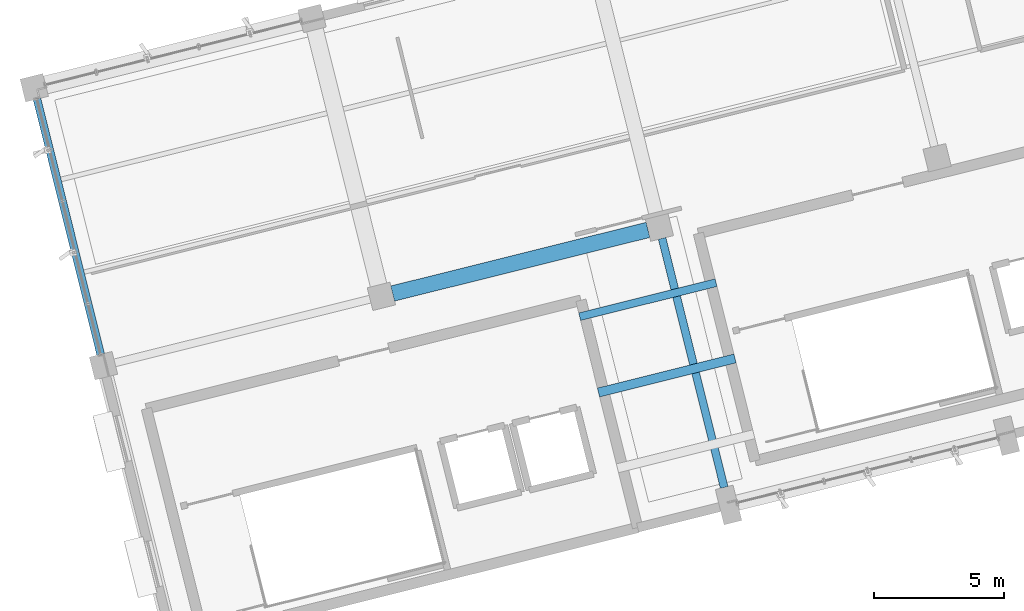
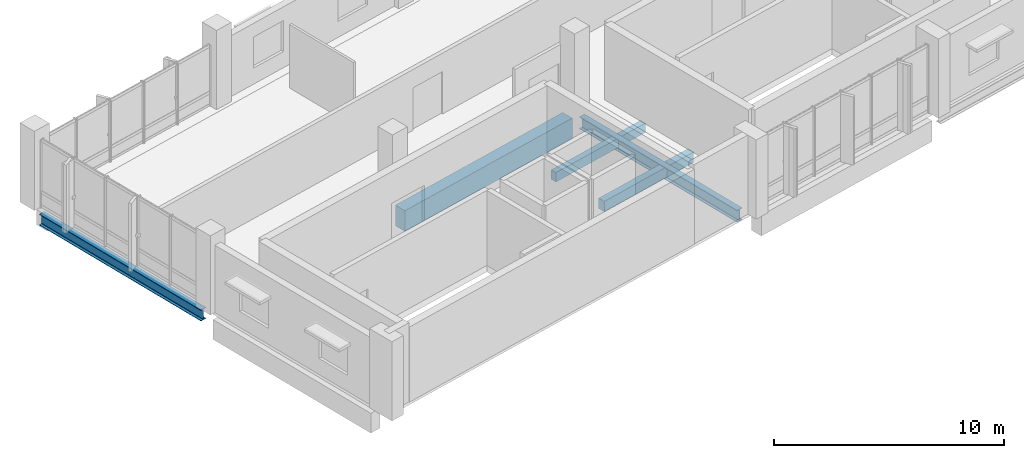
# One storey, part 4 of 22: 5 beams.
"""IFC4 building model written with IfcOpenShell, lengths in metres."""

from ifc_helpers import new_model, si_unit, direction, frame, origin, origin_2d, place, context, subcontext, project, spatial, rectangle, i_section, extrude, material, material_profile, profile_set, type_object, element, save


model = new_model("IFC4")

# Units and contexts
model_context = context("Model", 3, precision=1e-05, world=origin(), true_north=direction((0.0, 1.0)))
body_context = subcontext(model_context, "Body", "Model", "MODEL_VIEW")
ifc_project = project(units=[si_unit("LENGTHUNIT", "METRE"), si_unit("AREAUNIT", "SQUARE_METRE"), si_unit("VOLUMEUNIT", "CUBIC_METRE"), si_unit("PLANEANGLEUNIT", "RADIAN"), si_unit("MASSUNIT", "GRAM", prefix="KILO")], contexts=[model_context])

# Site, building, storey
site_placement = place(None, origin())
site = spatial("IfcSite", under=ifc_project, at=site_placement, CompositionType="ELEMENT")
building_placement = place(site_placement, origin())
building = spatial("IfcBuilding", under=site, at=building_placement, Name="Khorjan Park Terminus", CompositionType="ELEMENT")
storey_placement = place(building_placement, frame((0.0, 0.0, 24.6)))
storey = spatial("IfcBuildingStorey", under=building, at=storey_placement, Name="L05", CompositionType="ELEMENT", Elevation=24.6)

# Beams
ifc_material_1 = material(Name="Steel S355", Category="steel")
ifc_material_profile_1 = material_profile(ifc_material_1, i_section(OverallWidth=0.3, OverallDepth=0.59, WebThickness=0.013, FlangeThickness=0.025, FilletRadius=0.027, at=origin_2d()), Name="HEA 600")
ifc_profile_set_1 = profile_set([ifc_material_profile_1], Name="Steel S355")
beam_type_1 = type_object("IfcBeamType", Name="BM-HEA600", PredefinedType="BEAM", material=ifc_profile_set_1)
beam_1_placement = place(storey_placement, frame((173.9045, 15.7662, -0.625), z_axis=(-0.241928143249, 0.970294168541, 0.0), x_axis=(-0.970294168541, -0.241928143249, 0.0)))
element("IfcBeam", 1, at=beam_1_placement, inside=storey, type_object=beam_type_1, Name="Primary skew-grid floor girder SB-A60 (L05)", PredefinedType="BEAM", context=body_context, shape_type="SweptSolid", body=[
    extrude(i_section(OverallWidth=0.3, OverallDepth=0.59, WebThickness=0.013, FlangeThickness=0.025, FilletRadius=0.027, at=origin_2d()), origin(), (0.0, 0.0, 1.0), 10.11),
])
ifc_material_profile_2 = material_profile(ifc_material_1, i_section(OverallWidth=0.3, OverallDepth=0.64, WebThickness=0.0135, FlangeThickness=0.026, FilletRadius=0.027, at=origin_2d()), Name="HEA 650")
ifc_profile_set_2 = profile_set([ifc_material_profile_2], Name="Steel S355")
beam_type_2 = type_object("IfcBeamType", Name="BM-HEA650", PredefinedType="BEAM", material=ifc_profile_set_2)
beam_2_placement = place(storey_placement, frame((197.8516, 10.6578, -0.65), z_axis=(-0.241917509425, 0.970296819862, 0.0), x_axis=(-0.970296819862, -0.241917509425, 0.0)))
element("IfcBeam", 2, at=beam_2_placement, inside=storey, type_object=beam_type_2, Name="Primary skew-grid floor girder SB-A65 (L05)", PredefinedType="BEAM", context=body_context, shape_type="SweptSolid", body=[
    extrude(i_section(OverallWidth=0.3, OverallDepth=0.64, WebThickness=0.0135, FlangeThickness=0.026, FilletRadius=0.027, at=origin_2d()), origin(), (0.0, 0.0, 1.0), 9.86),
])
ifc_material_2 = material(Name="Concrete C40/50", Category="concrete")
ifc_material_profile_3 = material_profile(ifc_material_2, rectangle(XDim=0.6, YDim=1.1, at=origin_2d()), Name="RC 600x1100")
ifc_profile_set_3 = profile_set([ifc_material_profile_3], Name="Concrete C40/50")
beam_type_3 = type_object("IfcBeamType", Name="BM-RC600x1100", PredefinedType="BEAM", material=ifc_profile_set_3)
beam_3_placement = place(storey_placement, frame((185.1171, 18.1032, -0.88), z_axis=(0.970296490369, 0.241918830968, 0.0), x_axis=(-0.241918830968, 0.970296490369, 0.0)))
element("IfcBeam", 3, at=beam_3_placement, inside=storey, type_object=beam_type_3, Name="Primary skew-grid floor girder GB-11 (L05)", PredefinedType="BEAM", context=body_context, shape_type="SweptSolid", body=[
    extrude(rectangle(XDim=0.6, YDim=1.1, at=origin_2d()), origin(), (0.0, 0.0, 1.0), 10.11),
])
ifc_material_profile_4 = material_profile(ifc_material_2, rectangle(XDim=0.3, YDim=0.5, at=origin_2d()), Name="RC 300x500")
ifc_profile_set_4 = profile_set([ifc_material_profile_4], Name="Concrete C40/50")
beam_type_4 = type_object("IfcBeamType", Name="LN-RC300x500", PredefinedType="LINTEL", material=ifc_profile_set_4)
beam_4_placement = place(storey_placement, frame((192.3005, 17.2146, -0.61), z_axis=(0.97029481357, 0.241925556235, 0.0), x_axis=(-0.241925556235, 0.97029481357, 0.0)))
element("IfcBeam", 4, at=beam_4_placement, inside=storey, type_object=beam_type_4, Name="Inter-core coupling lintel beam LN-50 (L05)", PredefinedType="LINTEL", context=body_context, shape_type="SweptSolid", body=[
    extrude(rectangle(XDim=0.3, YDim=0.5, at=origin_2d()), origin(), (0.0, 0.0, 1.0), 5.4),
])
ifc_material_profile_5 = material_profile(ifc_material_2, rectangle(XDim=0.35, YDim=0.55, at=origin_2d()), Name="RC 350x550")
ifc_profile_set_5 = profile_set([ifc_material_profile_5], Name="Concrete C40/50")
beam_type_5 = type_object("IfcBeamType", Name="LN-RC350x550", PredefinedType="LINTEL", material=ifc_profile_set_5)
beam_5_placement = place(storey_placement, frame((193.0263, 14.3037, -0.635), z_axis=(0.97029481357, 0.241925556235, 0.0), x_axis=(-0.241925556235, 0.97029481357, 0.0)))
element("IfcBeam", 5, at=beam_5_placement, inside=storey, type_object=beam_type_5, Name="Inter-core coupling lintel beam LN-55 (L05)", PredefinedType="LINTEL", context=body_context, shape_type="SweptSolid", body=[
    extrude(rectangle(XDim=0.35, YDim=0.55, at=origin_2d()), origin(), (0.0, 0.0, 1.0), 5.4),
])

save(model, "model.ifc")
